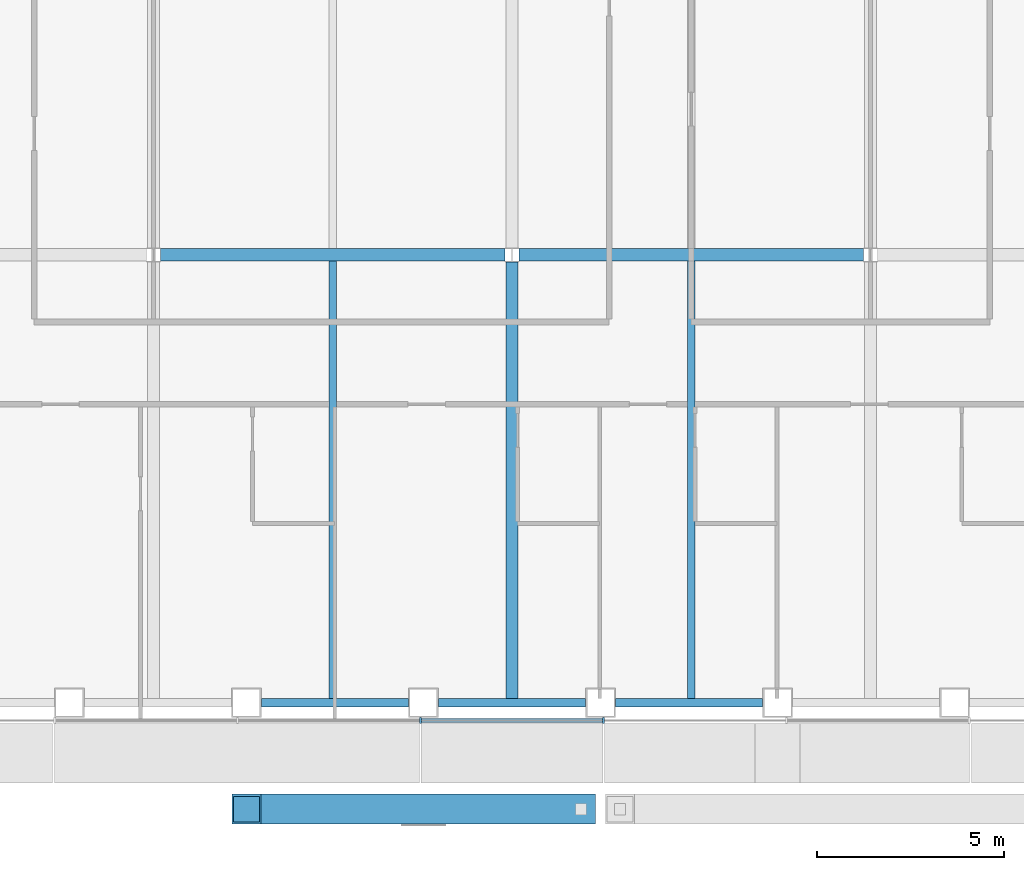
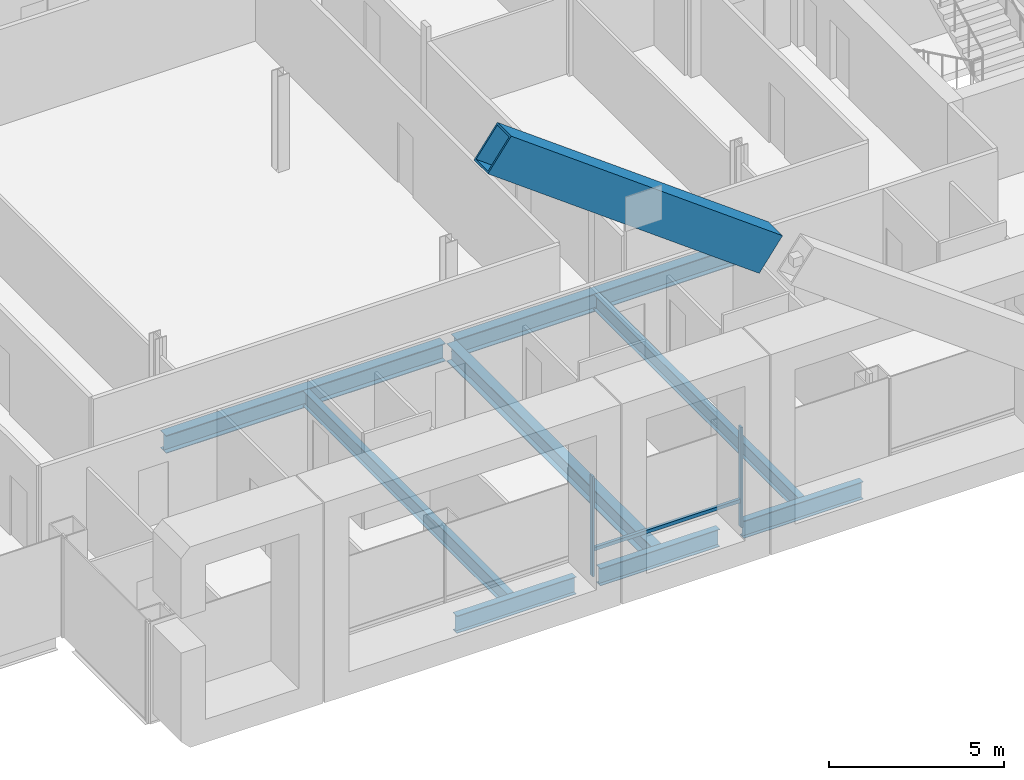
# One storey, part 4 of 22: 8 beams, 4 members, 1 element without a shape of its own.
"""IFC4 building model written with IfcOpenShell, lengths in metres."""

import ifcopenshell
import ifcopenshell.guid

model = None  # the IFC model being written
_history = None  # IfcOwnerHistory: only IFC2X3 demands one
_inside = {}  # id of a spatial element -> (the spatial element, [elements in it])
_under = {}  # id of a project, library or spatial element -> (it, [spatial elements below it])
_declared = {}  # id of a project -> (the project, [libraries it declares])
_typed = {}  # id of a type object -> (the type object, [elements of that type])
_made_of = {}  # id of a material, layer set ... -> (it, [elements and type objects made of it])


def new_model(schema):
    """Start an empty IFC model of exactly this schema.

    Asked for "IFC4X3", IfcOpenShell would pick the latest addendum, in which some entities
    have other attributes; the version numbers below select the first issue.
    IFC2X3 requires an IfcOwnerHistory on every rooted entity: one is made here for all.
    """
    global model, _history
    if schema == "IFC4X3":
        model = ifcopenshell.file(schema_version=(4, 3, 0, 0))
    else:
        model = ifcopenshell.file(schema=schema)
    _inside.clear()
    _under.clear()
    _declared.clear()
    _typed.clear()
    _made_of.clear()
    _history = None
    if model.schema == "IFC2X3":
        org = make("IfcOrganization", Name="unknown")
        user = make(
            "IfcPersonAndOrganization",
            ThePerson=make("IfcPerson", FamilyName="unknown"),
            TheOrganization=org,
        )
        app = make(
            "IfcApplication",
            ApplicationDeveloper=org,
            Version="unknown",
            ApplicationFullName="unknown",
            ApplicationIdentifier="unknown",
        )
        _history = make(
            "IfcOwnerHistory",
            OwningUser=user,
            OwningApplication=app,
            ChangeAction="ADDED",
            CreationDate=0,
        )
    return model


def make(cls, **values):
    """One entity of the class cls with the attributes given. An attribute that is None is left unset."""
    return model.create_entity(
        cls, **{name: value for name, value in values.items() if value is not None}
    )


def rooted(cls, **values):
    """An entity with a GlobalId (a new one), such as an element, a storey or a relation."""
    return make(cls, GlobalId=ifcopenshell.guid.new(), OwnerHistory=_history, **values)


def si_unit(unit_type, name, prefix=None):
    """IfcSIUnit, for example si_unit("LENGTHUNIT", "METRE", prefix="MILLI")."""
    return make("IfcSIUnit", UnitType=unit_type, Prefix=prefix, Name=name)


def assignment(units):
    """IfcUnitAssignment: the units of a project."""
    return None if units is None else make("IfcUnitAssignment", Units=units)


def point(xyz):
    """IfcCartesianPoint."""
    return None if xyz is None else make("IfcCartesianPoint", Coordinates=xyz)


def direction(xyz):
    """IfcDirection."""
    return None if xyz is None else make("IfcDirection", DirectionRatios=xyz)


def frame(location, z_axis=None, x_axis=None):
    """IfcAxis2Placement3D, a coordinate frame: its origin and axes. An axis left out is left unset."""
    return make(
        "IfcAxis2Placement3D",
        Location=point(location),
        Axis=direction(z_axis),
        RefDirection=direction(x_axis),
    )


def frame_2d(location, x_axis=None):
    """IfcAxis2Placement2D, a coordinate frame in the plane: its origin and x axis."""
    return make(
        "IfcAxis2Placement2D", Location=point(location), RefDirection=direction(x_axis)
    )


def origin():
    """The frame at (0, 0, 0) with its axes left unset."""
    return frame((0.0, 0.0, 0.0))


def origin_2d():
    """The frame at (0, 0) in the plane with its x axis left unset."""
    return frame_2d((0.0, 0.0))


def place(relative_to, where):
    """IfcLocalPlacement: puts the frame where relative to a parent placement (None: the world)."""
    return make(
        "IfcLocalPlacement", PlacementRelTo=relative_to, RelativePlacement=where
    )


def context(
    kind, dimensions, precision=None, world=None, true_north=None, identifier=None
):
    """IfcGeometricRepresentationContext, for example the 3D "Model" context."""
    return make(
        "IfcGeometricRepresentationContext",
        ContextIdentifier=identifier,
        ContextType=kind,
        CoordinateSpaceDimension=dimensions,
        Precision=precision,
        WorldCoordinateSystem=world,
        TrueNorth=true_north,
    )


def subcontext(parent, identifier, kind, view, scale=None):
    """IfcGeometricRepresentationSubContext, for example "Body" below "Model"."""
    return make(
        "IfcGeometricRepresentationSubContext",
        ContextIdentifier=identifier,
        ContextType=kind,
        ParentContext=parent,
        TargetScale=scale,
        TargetView=view,
    )


def project(units=None, contexts=None):
    """IfcProject with its units and contexts."""
    return rooted(
        "IfcProject",
        Name="project",
        RepresentationContexts=contexts,
        UnitsInContext=assignment(units),
    )


def spatial(cls, under=None, at=None, **own):
    """A site, building, storey or space (cls), placed at a placement, below another one or the project."""
    s = rooted(cls, ObjectPlacement=at, **own)
    if under is not None:
        _under.setdefault(under.id(), (under, []))[1].append(s)
    return s


def profile(cls, at=None, kind="AREA", **sizes):
    """A parametric profile (cls). Its sizes go by their IFC names, for example OverallWidth=200.0."""
    return make(cls, ProfileType=kind, Position=at, **sizes)


def rectangle(**sizes):
    """IfcRectangleProfileDef."""
    return profile("IfcRectangleProfileDef", **sizes)


def hollow_rectangle(**sizes):
    """IfcRectangleHollowProfileDef."""
    return profile("IfcRectangleHollowProfileDef", **sizes)


def i_section(**sizes):
    """IfcIShapeProfileDef."""
    return profile("IfcIShapeProfileDef", **sizes)


def extrude(swept, where, along, depth):
    """IfcExtrudedAreaSolid: the profile swept, set in the frame where, extruded along a direction by depth."""
    return make(
        "IfcExtrudedAreaSolid",
        SweptArea=swept,
        Position=where,
        ExtrudedDirection=direction(along),
        Depth=depth,
    )


def shape(context_of_items, identifier, shape_type, items):
    """IfcShapeRepresentation: the items that make up one representation, for example the "Body"."""
    return make(
        "IfcShapeRepresentation",
        ContextOfItems=context_of_items,
        RepresentationIdentifier=identifier,
        RepresentationType=shape_type,
        Items=items,
    )


def material(Name=None, Category=None):
    """IfcMaterial."""
    return make("IfcMaterial", Name=Name, Category=Category)


def material_profile(
    of_material, cross_section, Name=None, Category=None, Priority=None
):
    """IfcMaterialProfile: a cross section and its material."""
    return make(
        "IfcMaterialProfile",
        Name=Name,
        Material=of_material,
        Profile=cross_section,
        Priority=Priority,
        Category=Category,
    )


def profile_set(profiles, Name=None, composite=None):
    """IfcMaterialProfileSet."""
    return make(
        "IfcMaterialProfileSet",
        Name=Name,
        MaterialProfiles=profiles,
        CompositeProfile=composite,
    )


def made_of(thing, what):
    """Note that an element or type object is made of a material, layer set ...; save() writes the relation."""
    if what is not None:
        _made_of.setdefault(what.id(), (what, []))[1].append(thing)
    return thing


def type_object(cls, material=None, **own):
    """A type object (cls), such as IfcWallType, which elements share."""
    return made_of(rooted(cls, **own), material)


def element(
    cls,
    number,
    at=None,
    inside=None,
    cuts=None,
    type_object=None,
    material=None,
    context=None,
    identifier="Body",
    shape_type=None,
    held_by="IfcProductDefinitionShape",
    body=None,
    shapes=None,
    **own,
):
    """One element of the class cls, such as IfcWall. Its Tag is "e" and its number.

    at: its placement. inside: the storey or other place that contains it. cuts: it is an
    opening in that element (IfcRelVoidsElement). A single representation is given by context,
    identifier, shape_type and body (its items); several are given by shapes. held_by: the class
    of the entity that holds the representations. save() writes the other relations.
    """
    e = rooted(cls, Tag="e%d" % number, ObjectPlacement=at, **own)
    if body is not None:
        shapes = [shape(context, identifier, shape_type, body)]
    if shapes is not None:
        e.Representation = make(held_by, Representations=shapes)
    if inside is not None:
        _inside.setdefault(inside.id(), (inside, []))[1].append(e)
    if cuts is not None:
        rooted(
            "IfcRelVoidsElement", RelatingBuildingElement=cuts, RelatedOpeningElement=e
        )
    if type_object is not None:
        _typed.setdefault(type_object.id(), (type_object, []))[1].append(e)
    return made_of(e, material)


def aggregate(whole, parts):
    """IfcRelAggregates: a whole, such as a stair, and the parts it consists of."""
    return rooted("IfcRelAggregates", RelatingObject=whole, RelatedObjects=parts)


def save(model, path):
    """Write the relations noted so far, then the file.

    IfcRelAggregates (storeys below a building ...), IfcRelContainedInSpatialStructure (elements
    in a storey), IfcRelDefinesByType, IfcRelAssociatesMaterial and IfcRelDeclares: one each for
    every whole, place, type object, material and project.
    """
    for whole, parts in _under.values():
        aggregate(whole, parts)
    for where, things in _inside.values():
        rooted(
            "IfcRelContainedInSpatialStructure",
            RelatedElements=things,
            RelatingStructure=where,
        )
    for kind, things in _typed.values():
        rooted("IfcRelDefinesByType", RelatedObjects=things, RelatingType=kind)
    for what, things in _made_of.values():
        rooted("IfcRelAssociatesMaterial", RelatedObjects=things, RelatingMaterial=what)
    for by, libraries in _declared.values():
        rooted("IfcRelDeclares", RelatingContext=by, RelatedDefinitions=libraries)
    model.write(path)


model = new_model("IFC4")

# Units and contexts
model_context = context("Model", 3, precision=1e-05, world=origin(), true_north=direction((0.0, 1.0)))
body_context = subcontext(model_context, "Body", "Model", "MODEL_VIEW")
ifc_project = project(units=[si_unit("LENGTHUNIT", "METRE"), si_unit("AREAUNIT", "SQUARE_METRE"), si_unit("VOLUMEUNIT", "CUBIC_METRE"), si_unit("PLANEANGLEUNIT", "RADIAN"), si_unit("MASSUNIT", "GRAM", prefix="KILO")], contexts=[model_context])

# Site, building, storey
site_placement = place(None, origin())
site = spatial("IfcSite", under=ifc_project, at=site_placement, CompositionType="ELEMENT")
building_placement = place(site_placement, origin())
building = spatial("IfcBuilding", under=site, at=building_placement, Name="Cobrizo Arcos Hotel Tower", CompositionType="ELEMENT")
storey_placement = place(building_placement, frame((0.0, 0.0, 162.0)))
storey = spatial("IfcBuildingStorey", under=building, at=storey_placement, Name="L41", CompositionType="ELEMENT", Elevation=162.0)

# Member
ifc_material_1 = material(Name="Steel ASTM A572 Grade 50", Category="steel")
ifc_material_profile_1 = material_profile(ifc_material_1, hollow_rectangle(XDim=0.800048828125, YDim=1.300048828125, WallThickness=0.06005859375, at=origin_2d()), Name="BOX 800X1300X60")
ifc_profile_set_1 = profile_set([ifc_material_profile_1], Name="Steel ASTM A572 Grade 50")
member_type_1 = type_object("IfcMemberType", Name="BOX 800X1300X60 perimeter brace", PredefinedType="BRACE", material=ifc_profile_set_1)
member_1_placement = place(storey_placement, frame((1.84814453125, -24.449951171875, 11.385986328125), z_axis=(-0.804620954099, 0.0, 0.593788784186), x_axis=(0.0, -1.0, 0.0)))
element("IfcMember", 1, at=member_1_placement, inside=storey, type_object=member_type_1, Name="Perimeter brace PBR3, zone Z3, south face, no. 09b", PredefinedType="BRACE", context=body_context, shape_type="SweptSolid", body=[
    extrude(hollow_rectangle(XDim=0.800048828125, YDim=1.300048828125, WallThickness=0.06005859375, at=origin_2d()), origin(), (0.0, 0.0, 1.0), 11.138671875),
])

# Curtain wall, members
ifc_material_2 = material(Name="Aluminium 6063-T6 anodised bronze", Category="aluminium")
curtain_wall_type = type_object("IfcCurtainWallType", Name="CW-A guest facade", PredefinedType="NOTDEFINED", material=ifc_material_2)
curtain_wall_placement = place(storey_placement, origin())
curtain_wall = element("IfcCurtainWall", 2, at=curtain_wall_placement, inside=storey, type_object=curtain_wall_type, Name="CW-A L41 S face", PredefinedType="NOTDEFINED")
ifc_material_profile_2 = material_profile(ifc_material_2, rectangle(XDim=0.14990234375, YDim=0.06005859375, at=origin_2d()), Name="CW-A mullion 150x60")
ifc_profile_set_2 = profile_set([ifc_material_profile_2], Name="Aluminium 6063-T6 anodised bronze")
member_type_2 = type_object("IfcMemberType", Name="CW-A mullion 150x60", PredefinedType="MULLION", material=ifc_profile_set_2)
member_2_placement = place(storey_placement, frame((-2.449951171875, -22.074951171875, 0.0), z_axis=(0.0, 0.0, 1.0), x_axis=(0.0, -1.0, 0.0)))
member_2 = element("IfcMember", 3, at=member_2_placement, type_object=member_type_2, Name="CW-A mullion 4", PredefinedType="MULLION", context=body_context, shape_type="SweptSolid", body=[
    extrude(rectangle(XDim=0.14990234375, YDim=0.06005859375, at=origin_2d()), origin(), (0.0, 0.0, 1.0), 3.5),
])
member_3_placement = place(storey_placement, frame((2.449951171875, -22.074951171875, 0.0), z_axis=(0.0, 0.0, 1.0), x_axis=(0.0, -1.0, 0.0)))
member_3 = element("IfcMember", 4, at=member_3_placement, type_object=member_type_2, Name="CW-A mullion 5", PredefinedType="MULLION", context=body_context, shape_type="SweptSolid", body=[
    extrude(rectangle(XDim=0.14990234375, YDim=0.06005859375, at=origin_2d()), origin(), (0.0, 0.0, 1.0), 3.5),
])
ifc_material_profile_3 = material_profile(ifc_material_2, rectangle(XDim=0.10009765625, YDim=0.1201171875, at=origin_2d()), Name="CW-A transom 120x100")
ifc_profile_set_3 = profile_set([ifc_material_profile_3], Name="Aluminium 6063-T6 anodised bronze")
member_type_3 = type_object("IfcMemberType", Name="CW-A transom 120x100", PredefinedType="USERDEFINED", material=ifc_profile_set_3)
member_4_placement = place(storey_placement, frame((-2.419921875, -22.074951171875, 0.929931640625), z_axis=(1.0, 0.0, 0.0), x_axis=(0.0, 1.0, 0.0)))
member_4 = element("IfcMember", 5, at=member_4_placement, type_object=member_type_3, Name="CW-A transom 1459", ObjectType="TRANSOM", PredefinedType="USERDEFINED", context=body_context, shape_type="SweptSolid", body=[
    extrude(rectangle(XDim=0.10009765625, YDim=0.1201171875, at=origin_2d()), origin(), (0.0, 0.0, 1.0), 4.83984375),
])
aggregate(curtain_wall, [member_2, member_3, member_4])

# Beams
ifc_material_3 = material(Name="Steel ASTM A992 Grade 50", Category="steel")
ifc_material_profile_4 = material_profile(ifc_material_3, i_section(OverallWidth=0.209228515625, OverallDepth=0.533447265625, WebThickness=0.01025390625, FlangeThickness=0.015625, at=origin_2d()), Name="W21X62")
ifc_profile_set_4 = profile_set([ifc_material_profile_4], Name="Steel ASTM A992 Grade 50")
beam_type_1 = type_object("IfcBeamType", Name="W21X62 joist", PredefinedType="JOIST", material=ifc_profile_set_4)
for number, where, z_axis, x_axis, name in (
    (6, (-4.800048828125, -21.510009765625, -0.416748046875), (0.0, 1.0, 0.0), (-1.0, 0.0, 0.0), "Floor joist J1, L41, no. 007"),
    (7, (4.800048828125, -21.510009765625, -0.416748046875), (0.0, 1.0, 0.0), (-1.0, 0.0, 0.0), "Floor joist J1, L41, no. 011"),
):
    element("IfcBeam", number, at=place(storey_placement, frame(where, z_axis=z_axis, x_axis=x_axis)), inside=storey, type_object=beam_type_1, Name=name, PredefinedType="JOIST", context=body_context, shape_type="SweptSolid", body=[
        extrude(i_section(OverallWidth=0.209228515625, OverallDepth=0.533447265625, WebThickness=0.01025390625, FlangeThickness=0.015625, at=origin_2d()), origin(), (0.0, 0.0, 1.0), 11.74609375),
    ])
ifc_material_profile_5 = material_profile(ifc_material_3, i_section(OverallWidth=0.32763671875, OverallDepth=0.622314453125, WebThickness=0.015380859375, FlangeThickness=0.0244140625, at=origin_2d()), Name="W24X131")
ifc_profile_set_5 = profile_set([ifc_material_profile_5], Name="Steel ASTM A992 Grade 50")
beam_type_2 = type_object("IfcBeamType", Name="W24X131 girder", PredefinedType="BEAM", material=ifc_profile_set_5)
for number, where, z_axis, x_axis, name in (
    (8, (-9.413330078125, -9.60009765625, -0.461181640625), (1.0, 0.0, 0.0), (0.0, 1.0, 0.0), "Floor girder G1, L41, no. 002"),
    (9, (0.186767578125, -9.60009765625, -0.461181640625), (1.0, 0.0, 0.0), (0.0, 1.0, 0.0), "Floor girder G1, L41, no. 003"),
):
    element("IfcBeam", number, at=place(storey_placement, frame(where, z_axis=z_axis, x_axis=x_axis)), inside=storey, type_object=beam_type_2, Name=name, PredefinedType="BEAM", context=body_context, shape_type="SweptSolid", body=[
        extrude(i_section(OverallWidth=0.32763671875, OverallDepth=0.622314453125, WebThickness=0.015380859375, FlangeThickness=0.0244140625, at=origin_2d()), origin(), (0.0, 0.0, 1.0), 9.2265625),
    ])
beam_1_placement = place(storey_placement, frame((0.0, -21.510009765625, -0.461181640625), z_axis=(0.0, 1.0, 0.0), x_axis=(-1.0, 0.0, 0.0)))
element("IfcBeam", 10, at=beam_1_placement, inside=storey, type_object=beam_type_2, Name="Floor girder G1, L41, no. 017", PredefinedType="BEAM", context=body_context, shape_type="SweptSolid", body=[
    extrude(i_section(OverallWidth=0.32763671875, OverallDepth=0.622314453125, WebThickness=0.015380859375, FlangeThickness=0.0244140625, at=origin_2d()), origin(), (0.0, 0.0, 1.0), 11.723388671875),
])
ifc_material_profile_6 = material_profile(ifc_material_3, i_section(OverallWidth=0.228271484375, OverallDepth=0.607177734375, WebThickness=0.01123046875, FlangeThickness=0.017333984375, at=origin_2d()), Name="W24X76")
ifc_profile_set_6 = profile_set([ifc_material_profile_6], Name="Steel ASTM A992 Grade 50")
beam_type_3 = type_object("IfcBeamType", Name="W24X76 spandrel", PredefinedType="SPANDREL", material=ifc_profile_set_6)
beam_2_placement = place(storey_placement, frame((-6.714111328125, -21.60009765625, -0.45361328125), z_axis=(1.0, 0.0, 0.0), x_axis=(0.0, 1.0, 0.0)))
element("IfcBeam", 11, at=beam_2_placement, inside=storey, type_object=beam_type_3, Name="Spandrel beam W24X76, L41, no. 003", PredefinedType="SPANDREL", context=body_context, shape_type="SweptSolid", body=[
    extrude(i_section(OverallWidth=0.228271484375, OverallDepth=0.607177734375, WebThickness=0.01123046875, FlangeThickness=0.017333984375, at=origin_2d()), origin(), (0.0, 0.0, 1.0), 3.943115234375),
])
beam_3_placement = place(storey_placement, frame((-1.970947265625, -21.60009765625, -0.45361328125), z_axis=(1.0, 0.0, 0.0), x_axis=(0.0, 1.0, 0.0)))
element("IfcBeam", 12, at=beam_3_placement, inside=storey, type_object=beam_type_3, Name="Spandrel beam W24X76, L41, no. 004", PredefinedType="SPANDREL", context=body_context, shape_type="SweptSolid", body=[
    extrude(i_section(OverallWidth=0.228271484375, OverallDepth=0.607177734375, WebThickness=0.01123046875, FlangeThickness=0.017333984375, at=origin_2d()), origin(), (0.0, 0.0, 1.0), 3.94189453125),
])
beam_4_placement = place(storey_placement, frame((2.77099609375, -21.60009765625, -0.45361328125), z_axis=(1.0, 0.0, 0.0), x_axis=(0.0, 1.0, 0.0)))
element("IfcBeam", 13, at=beam_4_placement, inside=storey, type_object=beam_type_3, Name="Spandrel beam W24X76, L41, no. 005", PredefinedType="SPANDREL", context=body_context, shape_type="SweptSolid", body=[
    extrude(i_section(OverallWidth=0.228271484375, OverallDepth=0.607177734375, WebThickness=0.01123046875, FlangeThickness=0.017333984375, at=origin_2d()), origin(), (0.0, 0.0, 1.0), 3.943115234375),
])

save(model, "model.ifc")
